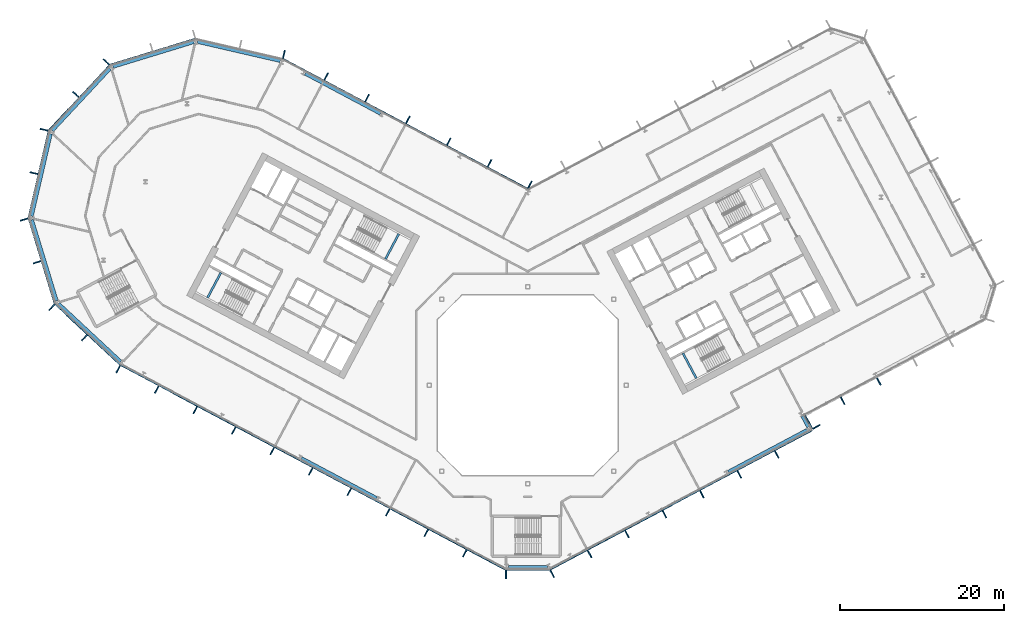
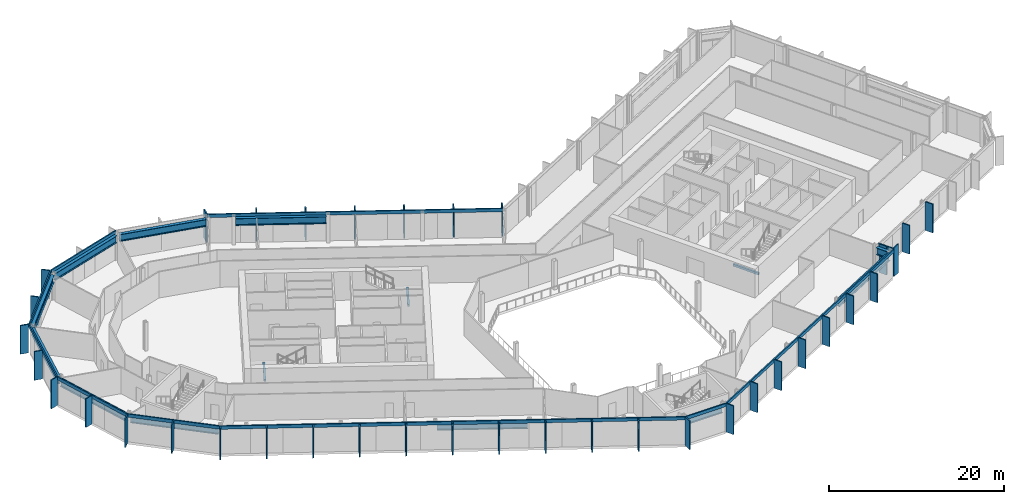
# One storey, part 9 of 28: 47 members, 14 beams, 12 elements without a shape of their own.
"""IFC4 building model written with IfcOpenShell, lengths in metres."""

from ifc_helpers import new_model, si_unit, direction, frame, origin, origin_2d, place, context, subcontext, project, spatial, rectangle, i_section, extrude, material, layer, layer_set, material_profile, profile_set, type_object, element, aggregate, save


model = new_model("IFC4")

# Units and contexts
model_context = context("Model", 3, precision=1e-05, world=origin(), true_north=direction((0.0, 1.0)))
body_context = subcontext(model_context, "Body", "Model", "MODEL_VIEW")
ifc_project = project(units=[si_unit("LENGTHUNIT", "METRE"), si_unit("AREAUNIT", "SQUARE_METRE"), si_unit("VOLUMEUNIT", "CUBIC_METRE"), si_unit("PLANEANGLEUNIT", "RADIAN"), si_unit("MASSUNIT", "GRAM", prefix="KILO")], contexts=[model_context])

# Site, building, storey
site_placement = place(None, origin())
site = spatial("IfcSite", under=ifc_project, at=site_placement, CompositionType="ELEMENT")
building_placement = place(site_placement, origin())
building = spatial("IfcBuilding", under=site, at=building_placement, Name="Cormorant Relay Tower", CompositionType="ELEMENT")
storey_placement = place(building_placement, frame((0.0, 0.0, 162.199951171875)))
storey = spatial("IfcBuildingStorey", under=building, at=storey_placement, Name="L34", CompositionType="ELEMENT", Elevation=162.199951171875)

# Curtain wall, member
ifc_material_1 = material(Name="Aluminium 6063-T6 anodised bronze", Category="aluminium")
ifc_layer = layer(ifc_material_1, 0.199951171875)
ifc_layer_set = layer_set([ifc_layer], Name="CW1 unitised bronze curtain wall with vertical fins")
curtain_wall_type = type_object("IfcCurtainWallType", Name="CW1 unitised bronze curtain wall with vertical fins", PredefinedType="NOTDEFINED", material=ifc_layer_set)
curtain_wall_1_placement = place(storey_placement, origin())
curtain_wall_1 = element("IfcCurtainWall", 1, at=curtain_wall_1_placement, inside=storey, type_object=curtain_wall_type, Name="CW1 curtain wall 1", PredefinedType="NOTDEFINED")
ifc_material_2 = material(Name="Aluminium 6063-T6 anodised bronze", Category="aluminium")
ifc_material_profile_1 = material_profile(ifc_material_2, rectangle(XDim=0.14990234375, YDim=1.0, at=origin_2d()), Name="AL 150x1000")
ifc_profile_set_1 = profile_set([ifc_material_profile_1], Name="Aluminium 6063-T6 anodised bronze")
member_type_1 = type_object("IfcMemberType", Name="CW1 bronze fin mullion 150 x 1000", PredefinedType="MULLION", material=ifc_profile_set_1)
member_1_placement = place(storey_placement, frame((-2.648681640625, -23.07568359375, 0.0), z_axis=(0.0, 0.0, 1.0), x_axis=(1.0, 0.0, 0.0)))
member_1 = element("IfcMember", 2, at=member_1_placement, type_object=member_type_1, Name="CW1 fin 1.1", PredefinedType="MULLION", context=body_context, shape_type="SweptSolid", body=[
    extrude(rectangle(XDim=0.14990234375, YDim=1.0, at=origin_2d()), origin(), (0.0, 0.0, 1.0), 4.0),
])

# Curtain wall, members
curtain_wall_2_placement = place(storey_placement, origin())
curtain_wall_2 = element("IfcCurtainWall", 3, at=curtain_wall_2_placement, inside=storey, type_object=curtain_wall_type, Name="CW1 curtain wall 2", PredefinedType="NOTDEFINED")
member_2_placement = place(storey_placement, frame((2.9775390625, -22.99365234375, 0.0), z_axis=(0.0, 0.0, 1.0), x_axis=(0.882947592859, 0.469471562786, 0.0)))
member_2 = element("IfcMember", 4, at=member_2_placement, type_object=member_type_1, Name="CW1 fin 2.1", PredefinedType="MULLION", context=body_context, shape_type="SweptSolid", body=[
    extrude(rectangle(XDim=0.14990234375, YDim=1.0, at=origin_2d()), origin(), (0.0, 0.0, 1.0), 4.0),
])
member_3_placement = place(storey_placement, frame((7.539306640625, -20.568115234375, 0.0), z_axis=(0.0, 0.0, 1.0), x_axis=(0.882947592859, 0.469471562786, 0.0)))
member_3 = element("IfcMember", 5, at=member_3_placement, type_object=member_type_1, Name="CW1 fin 2.2", PredefinedType="MULLION", context=body_context, shape_type="SweptSolid", body=[
    extrude(rectangle(XDim=0.14990234375, YDim=1.0, at=origin_2d()), origin(), (0.0, 0.0, 1.0), 4.0),
])
member_4_placement = place(storey_placement, frame((12.10107421875, -18.142578125, 0.0), z_axis=(0.0, 0.0, 1.0), x_axis=(0.882947592859, 0.469471562786, 0.0)))
member_4 = element("IfcMember", 6, at=member_4_placement, type_object=member_type_1, Name="CW1 fin 2.3", PredefinedType="MULLION", context=body_context, shape_type="SweptSolid", body=[
    extrude(rectangle(XDim=0.14990234375, YDim=1.0, at=origin_2d()), origin(), (0.0, 0.0, 1.0), 4.0),
])
member_5_placement = place(storey_placement, frame((16.662841796875, -15.717041015625, 0.0), z_axis=(0.0, 0.0, 1.0), x_axis=(0.882947592859, 0.469471562786, 0.0)))
member_5 = element("IfcMember", 7, at=member_5_placement, type_object=member_type_1, Name="CW1 fin 2.4", PredefinedType="MULLION", context=body_context, shape_type="SweptSolid", body=[
    extrude(rectangle(XDim=0.14990234375, YDim=1.0, at=origin_2d()), origin(), (0.0, 0.0, 1.0), 4.0),
])
member_6_placement = place(storey_placement, frame((21.224609375, -13.29150390625, 0.0), z_axis=(0.0, 0.0, 1.0), x_axis=(0.882947592859, 0.469471562786, 0.0)))
member_6 = element("IfcMember", 8, at=member_6_placement, type_object=member_type_1, Name="CW1 fin 2.5", PredefinedType="MULLION", context=body_context, shape_type="SweptSolid", body=[
    extrude(rectangle(XDim=0.14990234375, YDim=1.0, at=origin_2d()), origin(), (0.0, 0.0, 1.0), 4.0),
])
member_7_placement = place(storey_placement, frame((25.78662109375, -10.865966796875, 0.0), z_axis=(0.0, 0.0, 1.0), x_axis=(0.882947592859, 0.469471562786, 0.0)))
member_7 = element("IfcMember", 9, at=member_7_placement, type_object=member_type_1, Name="CW1 fin 2.6", PredefinedType="MULLION", context=body_context, shape_type="SweptSolid", body=[
    extrude(rectangle(XDim=0.14990234375, YDim=1.0, at=origin_2d()), origin(), (0.0, 0.0, 1.0), 4.0),
])
member_8_placement = place(storey_placement, frame((30.348388671875, -8.440185546875, 0.0), z_axis=(0.0, 0.0, 1.0), x_axis=(0.882947592859, 0.469471562786, 0.0)))
member_8 = element("IfcMember", 10, at=member_8_placement, type_object=member_type_1, Name="CW1 fin 2.7", PredefinedType="MULLION", context=body_context, shape_type="SweptSolid", body=[
    extrude(rectangle(XDim=0.14990234375, YDim=1.0, at=origin_2d()), origin(), (0.0, 0.0, 1.0), 4.0),
])

# Curtain wall, member
curtain_wall_3_placement = place(storey_placement, origin())
curtain_wall_3 = element("IfcCurtainWall", 11, at=curtain_wall_3_placement, inside=storey, type_object=curtain_wall_type, Name="CW1 curtain wall 3", PredefinedType="NOTDEFINED")
member_9_placement = place(storey_placement, frame((35.199462890625, -5.068115234375, 0.0), z_axis=(0.0, 0.0, 1.0), x_axis=(-0.469471562786, 0.882947592859, 0.0)))
member_9 = element("IfcMember", 12, at=member_9_placement, type_object=member_type_1, Name="CW1 fin 3.1", PredefinedType="MULLION", context=body_context, shape_type="SweptSolid", body=[
    extrude(rectangle(XDim=0.14990234375, YDim=1.0, at=origin_2d()), origin(), (0.0, 0.0, 1.0), 4.0),
])

# Curtain wall, members
curtain_wall_4_placement = place(storey_placement, origin())
curtain_wall_4 = element("IfcCurtainWall", 13, at=curtain_wall_4_placement, inside=storey, type_object=curtain_wall_type, Name="CW1 curtain wall 4", PredefinedType="NOTDEFINED")
member_10_placement = place(storey_placement, frame((34.037353515625, -4.213623046875, 0.0), z_axis=(0.0, 0.0, 1.0), x_axis=(0.882947592859, 0.469471562786, 0.0)))
member_10 = element("IfcMember", 14, at=member_10_placement, type_object=member_type_1, Name="CW1 fin 4.1", PredefinedType="MULLION", context=body_context, shape_type="SweptSolid", body=[
    extrude(rectangle(XDim=0.14990234375, YDim=1.0, at=origin_2d()), origin(), (0.0, 0.0, 1.0), 4.0),
])
member_11_placement = place(storey_placement, frame((38.385986328125, -1.901611328125, 0.0), z_axis=(0.0, 0.0, 1.0), x_axis=(0.882947592859, 0.469471562786, 0.0)))
member_11 = element("IfcMember", 15, at=member_11_placement, type_object=member_type_1, Name="CW1 fin 4.2", PredefinedType="MULLION", context=body_context, shape_type="SweptSolid", body=[
    extrude(rectangle(XDim=0.14990234375, YDim=1.0, at=origin_2d()), origin(), (0.0, 0.0, 1.0), 4.0),
])
member_12_placement = place(storey_placement, frame((42.800537109375, 0.44580078125, 0.0), z_axis=(0.0, 0.0, 1.0), x_axis=(0.882947592859, 0.469471562786, 0.0)))
member_12 = element("IfcMember", 16, at=member_12_placement, type_object=member_type_1, Name="CW1 fin 4.3", PredefinedType="MULLION", context=body_context, shape_type="SweptSolid", body=[
    extrude(rectangle(XDim=0.14990234375, YDim=1.0, at=origin_2d()), origin(), (0.0, 0.0, 1.0), 4.0),
])
aggregate(curtain_wall_4, [member_10, member_11, member_12])

curtain_wall_5_placement = place(storey_placement, origin())
curtain_wall_5 = element("IfcCurtainWall", 17, at=curtain_wall_5_placement, inside=storey, type_object=curtain_wall_type, Name="CW1 curtain wall 9", PredefinedType="NOTDEFINED")
member_13_placement = place(storey_placement, frame((0.262451171875, 24.437255859375, 0.0), z_axis=(0.0, 0.0, 1.0), x_axis=(-0.882947592859, 0.469471562786, 0.0)))
member_13 = element("IfcMember", 18, at=member_13_placement, type_object=member_type_1, Name="CW1 fin 9.1", PredefinedType="MULLION", context=body_context, shape_type="SweptSolid", body=[
    extrude(rectangle(XDim=0.14990234375, YDim=1.0, at=origin_2d()), origin(), (0.0, 0.0, 1.0), 4.0),
])
member_14_placement = place(storey_placement, frame((-4.650390625, 27.04931640625, 0.0), z_axis=(0.0, 0.0, 1.0), x_axis=(-0.882947592859, 0.469471562786, 0.0)))
member_14 = element("IfcMember", 19, at=member_14_placement, type_object=member_type_1, Name="CW1 fin 9.2", PredefinedType="MULLION", context=body_context, shape_type="SweptSolid", body=[
    extrude(rectangle(XDim=0.14990234375, YDim=1.0, at=origin_2d()), origin(), (0.0, 0.0, 1.0), 4.0),
])
member_15_placement = place(storey_placement, frame((-9.62939453125, 29.69677734375, 0.0), z_axis=(0.0, 0.0, 1.0), x_axis=(-0.882947592859, 0.469471562786, 0.0)))
member_15 = element("IfcMember", 20, at=member_15_placement, type_object=member_type_1, Name="CW1 fin 9.3", PredefinedType="MULLION", context=body_context, shape_type="SweptSolid", body=[
    extrude(rectangle(XDim=0.14990234375, YDim=1.0, at=origin_2d()), origin(), (0.0, 0.0, 1.0), 4.0),
])
member_16_placement = place(storey_placement, frame((-14.608154296875, 32.343994140625, 0.0), z_axis=(0.0, 0.0, 1.0), x_axis=(-0.882947592859, 0.469471562786, 0.0)))
member_16 = element("IfcMember", 21, at=member_16_placement, type_object=member_type_1, Name="CW1 fin 9.4", PredefinedType="MULLION", context=body_context, shape_type="SweptSolid", body=[
    extrude(rectangle(XDim=0.14990234375, YDim=1.0, at=origin_2d()), origin(), (0.0, 0.0, 1.0), 4.0),
])
member_17_placement = place(storey_placement, frame((-19.587158203125, 34.991455078125, 0.0), z_axis=(0.0, 0.0, 1.0), x_axis=(-0.882947592859, 0.469471562786, 0.0)))
member_17 = element("IfcMember", 22, at=member_17_placement, type_object=member_type_1, Name="CW1 fin 9.5", PredefinedType="MULLION", context=body_context, shape_type="SweptSolid", body=[
    extrude(rectangle(XDim=0.14990234375, YDim=1.0, at=origin_2d()), origin(), (0.0, 0.0, 1.0), 4.0),
])
member_18_placement = place(storey_placement, frame((-24.566162109375, 37.638916015625, 0.0), z_axis=(0.0, 0.0, 1.0), x_axis=(-0.882947592859, 0.469471562786, 0.0)))
member_18 = element("IfcMember", 23, at=member_18_placement, type_object=member_type_1, Name="CW1 fin 9.6", PredefinedType="MULLION", context=body_context, shape_type="SweptSolid", body=[
    extrude(rectangle(XDim=0.14990234375, YDim=1.0, at=origin_2d()), origin(), (0.0, 0.0, 1.0), 4.0),
])

# Curtain wall, member
curtain_wall_6_placement = place(storey_placement, origin())
curtain_wall_6 = element("IfcCurtainWall", 24, at=curtain_wall_6_placement, inside=storey, type_object=curtain_wall_type, Name="CW1 curtain wall 10", PredefinedType="NOTDEFINED")
member_19_placement = place(storey_placement, frame((-29.71630859375, 40.35009765625, 0.0), z_axis=(0.0, 0.0, 1.0), x_axis=(-0.974370064785, 0.224951054344, 0.0)))
member_19 = element("IfcMember", 25, at=member_19_placement, type_object=member_type_1, Name="CW1 fin 10.1", PredefinedType="MULLION", context=body_context, shape_type="SweptSolid", body=[
    extrude(rectangle(XDim=0.14990234375, YDim=1.0, at=origin_2d()), origin(), (0.0, 0.0, 1.0), 4.0),
])
aggregate(curtain_wall_6, [member_19])

# Curtain wall, members
curtain_wall_7_placement = place(storey_placement, origin())
curtain_wall_7 = element("IfcCurtainWall", 26, at=curtain_wall_7_placement, inside=storey, type_object=curtain_wall_type, Name="CW1 curtain wall 12", PredefinedType="NOTDEFINED")
member_20_placement = place(storey_placement, frame((-51.372802734375, 39.41259765625, 0.0), z_axis=(0.0, 0.0, 1.0), x_axis=(-0.681998360062, -0.731353701619, 0.0)))
member_20 = element("IfcMember", 27, at=member_20_placement, type_object=member_type_1, Name="CW1 fin 12.1", PredefinedType="MULLION", context=body_context, shape_type="SweptSolid", body=[
    extrude(rectangle(XDim=0.14990234375, YDim=1.0, at=origin_2d()), origin(), (0.0, 0.0, 1.0), 4.0),
])
member_21_placement = place(storey_placement, frame((-55.07958984375, 35.4375, 0.0), z_axis=(0.0, 0.0, 1.0), x_axis=(-0.681998360062, -0.731353701619, 0.0)))
member_21 = element("IfcMember", 28, at=member_21_placement, type_object=member_type_1, Name="CW1 fin 12.2", PredefinedType="MULLION", context=body_context, shape_type="SweptSolid", body=[
    extrude(rectangle(XDim=0.14990234375, YDim=1.0, at=origin_2d()), origin(), (0.0, 0.0, 1.0), 4.0),
])

curtain_wall_8_placement = place(storey_placement, origin())
curtain_wall_8 = element("IfcCurtainWall", 29, at=curtain_wall_8_placement, inside=storey, type_object=curtain_wall_type, Name="CW1 curtain wall 13", PredefinedType="NOTDEFINED")
member_22_placement = place(storey_placement, frame((-58.95654296875, 31.142578125, 0.0), z_axis=(0.0, 0.0, 1.0), x_axis=(-0.224951054344, -0.974370064785, 0.0)))
member_22 = element("IfcMember", 30, at=member_22_placement, type_object=member_type_1, Name="CW1 fin 13.1", PredefinedType="MULLION", context=body_context, shape_type="SweptSolid", body=[
    extrude(rectangle(XDim=0.14990234375, YDim=1.0, at=origin_2d()), origin(), (0.0, 0.0, 1.0), 4.0),
])
member_23_placement = place(storey_placement, frame((-60.17919921875, 25.8466796875, 0.0), z_axis=(0.0, 0.0, 1.0), x_axis=(-0.224951054344, -0.974370064785, 0.0)))
member_23 = element("IfcMember", 31, at=member_23_placement, type_object=member_type_1, Name="CW1 fin 13.2", PredefinedType="MULLION", context=body_context, shape_type="SweptSolid", body=[
    extrude(rectangle(XDim=0.14990234375, YDim=1.0, at=origin_2d()), origin(), (0.0, 0.0, 1.0), 4.0),
])

curtain_wall_9_placement = place(storey_placement, origin())
curtain_wall_9 = element("IfcCurtainWall", 32, at=curtain_wall_9_placement, inside=storey, type_object=curtain_wall_type, Name="CW1 curtain wall 14", PredefinedType="NOTDEFINED")
member_24_placement = place(storey_placement, frame((-61.389404296875, 20.188720703125, 0.0), z_axis=(0.0, 0.0, 1.0), x_axis=(0.292371704723, -0.956304755963, 0.0)))
member_24 = element("IfcMember", 33, at=member_24_placement, type_object=member_type_1, Name="CW1 fin 14.1", PredefinedType="MULLION", context=body_context, shape_type="SweptSolid", body=[
    extrude(rectangle(XDim=0.14990234375, YDim=1.0, at=origin_2d()), origin(), (0.0, 0.0, 1.0), 4.0),
])
member_25_placement = place(storey_placement, frame((-59.80029296875, 14.990966796875, 0.0), z_axis=(0.0, 0.0, 1.0), x_axis=(0.292371704723, -0.956304755963, 0.0)))
member_25 = element("IfcMember", 34, at=member_25_placement, type_object=member_type_1, Name="CW1 fin 14.2", PredefinedType="MULLION", context=body_context, shape_type="SweptSolid", body=[
    extrude(rectangle(XDim=0.14990234375, YDim=1.0, at=origin_2d()), origin(), (0.0, 0.0, 1.0), 4.0),
])

curtain_wall_10_placement = place(storey_placement, origin())
curtain_wall_10 = element("IfcCurtainWall", 35, at=curtain_wall_10_placement, inside=storey, type_object=curtain_wall_type, Name="CW1 curtain wall 15", PredefinedType="NOTDEFINED")
member_26_placement = place(storey_placement, frame((-58.01904296875, 9.486083984375, 0.0), z_axis=(0.0, 0.0, 1.0), x_axis=(0.731353701619, -0.681998360062, 0.0)))
member_26 = element("IfcMember", 36, at=member_26_placement, type_object=member_type_1, Name="CW1 fin 15.1", PredefinedType="MULLION", context=body_context, shape_type="SweptSolid", body=[
    extrude(rectangle(XDim=0.14990234375, YDim=1.0, at=origin_2d()), origin(), (0.0, 0.0, 1.0), 4.0),
])
member_27_placement = place(storey_placement, frame((-54.0439453125, 5.779296875, 0.0), z_axis=(0.0, 0.0, 1.0), x_axis=(0.731353701619, -0.681998360062, 0.0)))
member_27 = element("IfcMember", 37, at=member_27_placement, type_object=member_type_1, Name="CW1 fin 15.2", PredefinedType="MULLION", context=body_context, shape_type="SweptSolid", body=[
    extrude(rectangle(XDim=0.14990234375, YDim=1.0, at=origin_2d()), origin(), (0.0, 0.0, 1.0), 4.0),
])

curtain_wall_11_placement = place(storey_placement, origin())
curtain_wall_11 = element("IfcCurtainWall", 38, at=curtain_wall_11_placement, inside=storey, type_object=curtain_wall_type, Name="CW1 curtain wall 16", PredefinedType="NOTDEFINED")
member_28_placement = place(storey_placement, frame((-49.920166015625, 1.96630859375, 0.0), z_axis=(0.0, 0.0, 1.0), x_axis=(0.882947592859, -0.469471562786, 0.0)))
member_28 = element("IfcMember", 39, at=member_28_placement, type_object=member_type_1, Name="CW1 fin 16.1", PredefinedType="MULLION", context=body_context, shape_type="SweptSolid", body=[
    extrude(rectangle(XDim=0.14990234375, YDim=1.0, at=origin_2d()), origin(), (0.0, 0.0, 1.0), 4.0),
])
member_29_placement = place(storey_placement, frame((-45.225830078125, -0.52978515625, 0.0), z_axis=(0.0, 0.0, 1.0), x_axis=(0.882947592859, -0.469471562786, 0.0)))
member_29 = element("IfcMember", 40, at=member_29_placement, type_object=member_type_1, Name="CW1 fin 16.2", PredefinedType="MULLION", context=body_context, shape_type="SweptSolid", body=[
    extrude(rectangle(XDim=0.14990234375, YDim=1.0, at=origin_2d()), origin(), (0.0, 0.0, 1.0), 4.0),
])
member_30_placement = place(storey_placement, frame((-40.531494140625, -3.025634765625, 0.0), z_axis=(0.0, 0.0, 1.0), x_axis=(0.882947592859, -0.469471562786, 0.0)))
member_30 = element("IfcMember", 41, at=member_30_placement, type_object=member_type_1, Name="CW1 fin 16.3", PredefinedType="MULLION", context=body_context, shape_type="SweptSolid", body=[
    extrude(rectangle(XDim=0.14990234375, YDim=1.0, at=origin_2d()), origin(), (0.0, 0.0, 1.0), 4.0),
])
member_31_placement = place(storey_placement, frame((-35.83740234375, -5.521728515625, 0.0), z_axis=(0.0, 0.0, 1.0), x_axis=(0.882947592859, -0.469471562786, 0.0)))
member_31 = element("IfcMember", 42, at=member_31_placement, type_object=member_type_1, Name="CW1 fin 16.4", PredefinedType="MULLION", context=body_context, shape_type="SweptSolid", body=[
    extrude(rectangle(XDim=0.14990234375, YDim=1.0, at=origin_2d()), origin(), (0.0, 0.0, 1.0), 4.0),
])
member_32_placement = place(storey_placement, frame((-31.14306640625, -8.017578125, 0.0), z_axis=(0.0, 0.0, 1.0), x_axis=(0.882947592859, -0.469471562786, 0.0)))
member_32 = element("IfcMember", 43, at=member_32_placement, type_object=member_type_1, Name="CW1 fin 16.5", PredefinedType="MULLION", context=body_context, shape_type="SweptSolid", body=[
    extrude(rectangle(XDim=0.14990234375, YDim=1.0, at=origin_2d()), origin(), (0.0, 0.0, 1.0), 4.0),
])
member_33_placement = place(storey_placement, frame((-26.44873046875, -10.513671875, 0.0), z_axis=(0.0, 0.0, 1.0), x_axis=(0.882947592859, -0.469471562786, 0.0)))
member_33 = element("IfcMember", 44, at=member_33_placement, type_object=member_type_1, Name="CW1 fin 16.6", PredefinedType="MULLION", context=body_context, shape_type="SweptSolid", body=[
    extrude(rectangle(XDim=0.14990234375, YDim=1.0, at=origin_2d()), origin(), (0.0, 0.0, 1.0), 4.0),
])
member_34_placement = place(storey_placement, frame((-21.754638671875, -13.009765625, 0.0), z_axis=(0.0, 0.0, 1.0), x_axis=(0.882947592859, -0.469471562786, 0.0)))
member_34 = element("IfcMember", 45, at=member_34_placement, type_object=member_type_1, Name="CW1 fin 16.7", PredefinedType="MULLION", context=body_context, shape_type="SweptSolid", body=[
    extrude(rectangle(XDim=0.14990234375, YDim=1.0, at=origin_2d()), origin(), (0.0, 0.0, 1.0), 4.0),
])
member_35_placement = place(storey_placement, frame((-17.060302734375, -15.505615234375, 0.0), z_axis=(0.0, 0.0, 1.0), x_axis=(0.882947592859, -0.469471562786, 0.0)))
member_35 = element("IfcMember", 46, at=member_35_placement, type_object=member_type_1, Name="CW1 fin 16.8", PredefinedType="MULLION", context=body_context, shape_type="SweptSolid", body=[
    extrude(rectangle(XDim=0.14990234375, YDim=1.0, at=origin_2d()), origin(), (0.0, 0.0, 1.0), 4.0),
])
member_36_placement = place(storey_placement, frame((-12.365966796875, -18.001708984375, 0.0), z_axis=(0.0, 0.0, 1.0), x_axis=(0.882947592859, -0.469471562786, 0.0)))
member_36 = element("IfcMember", 47, at=member_36_placement, type_object=member_type_1, Name="CW1 fin 16.9", PredefinedType="MULLION", context=body_context, shape_type="SweptSolid", body=[
    extrude(rectangle(XDim=0.14990234375, YDim=1.0, at=origin_2d()), origin(), (0.0, 0.0, 1.0), 4.0),
])
member_37_placement = place(storey_placement, frame((-7.671630859375, -20.49755859375, 0.0), z_axis=(0.0, 0.0, 1.0), x_axis=(0.882947592859, -0.469471562786, 0.0)))
member_37 = element("IfcMember", 48, at=member_37_placement, type_object=member_type_1, Name="CW1 fin 16.10", PredefinedType="MULLION", context=body_context, shape_type="SweptSolid", body=[
    extrude(rectangle(XDim=0.14990234375, YDim=1.0, at=origin_2d()), origin(), (0.0, 0.0, 1.0), 4.0),
])

# Member
ifc_material_3 = material(Name="Aluminium 6063-T6 anodised bronze", Category="aluminium")
ifc_material_profile_2 = material_profile(ifc_material_3, rectangle(XDim=0.159912109375, YDim=0.449951171875, at=origin_2d()), Name="AL 160x450")
ifc_profile_set_2 = profile_set([ifc_material_profile_2], Name="Aluminium 6063-T6 anodised bronze")
member_type_2 = type_object("IfcMemberType", Name="CW1 bronze transom 160 x 450", PredefinedType="USERDEFINED", material=ifc_profile_set_2)
member_38_placement = place(storey_placement, frame((-2.648681640625, -22.49560546875, 3.775146484375), z_axis=(1.0, 0.0, 0.0), x_axis=(0.0, 1.0, 0.0)))
member_38 = element("IfcMember", 49, at=member_38_placement, type_object=member_type_2, Name="CW1 transom 1", ObjectType="TRANSOM", PredefinedType="USERDEFINED", context=body_context, shape_type="SweptSolid", body=[
    extrude(rectangle(XDim=0.159912109375, YDim=0.449951171875, at=origin_2d()), origin(), (0.0, 0.0, 1.0), 5.29736328125),
])

aggregate(curtain_wall_1, [member_1, member_38])

member_39_placement = place(storey_placement, frame((2.705078125, -22.4814453125, 3.775146484375), z_axis=(0.882948899141, 0.469469106018, 0.0), x_axis=(-0.469469106018, 0.882948899141, 0.0)))
member_39 = element("IfcMember", 50, at=member_39_placement, type_object=member_type_2, Name="CW1 transom 2", ObjectType="TRANSOM", PredefinedType="USERDEFINED", context=body_context, shape_type="SweptSolid", body=[
    extrude(rectangle(XDim=0.159912109375, YDim=0.449951171875, at=origin_2d()), origin(), (0.0, 0.0, 1.0), 36.165771484375),
])

aggregate(curtain_wall_2, [member_2, member_3, member_4, member_5, member_6, member_7, member_8, member_39])

member_40_placement = place(storey_placement, frame((34.6875, -5.34033203125, 3.775146484375), z_axis=(-0.469580583036, 0.88288961713, 0.0), x_axis=(-0.88288961713, -0.469580583036, 0.0)))
member_40 = element("IfcMember", 51, at=member_40_placement, type_object=member_type_2, Name="CW1 transom 3", ObjectType="TRANSOM", PredefinedType="USERDEFINED", context=body_context, shape_type="SweptSolid", body=[
    extrude(rectangle(XDim=0.159912109375, YDim=0.449951171875, at=origin_2d()), origin(), (0.0, 0.0, 1.0), 2.0),
])

aggregate(curtain_wall_3, [member_9, member_40])

member_41_placement = place(storey_placement, frame((0.056396484375, 23.889892578125, 3.775146484375), z_axis=(-0.882946280328, 0.46947403129, 0.0), x_axis=(-0.46947403129, -0.882946280328, 0.0)))
member_41 = element("IfcMember", 52, at=member_41_placement, type_object=member_type_2, Name="CW1 transom 9", ObjectType="TRANSOM", PredefinedType="USERDEFINED", context=body_context, shape_type="SweptSolid", body=[
    extrude(rectangle(XDim=0.159912109375, YDim=0.449951171875, at=origin_2d()), origin(), (0.0, 0.0, 1.0), 33.834228515625),
])

aggregate(curtain_wall_5, [member_13, member_14, member_15, member_16, member_17, member_18, member_41])

# Curtain wall, member
curtain_wall_12_placement = place(storey_placement, origin())
curtain_wall_12 = element("IfcCurtainWall", 53, at=curtain_wall_12_placement, inside=storey, type_object=curtain_wall_type, Name="CW1 curtain wall 11", PredefinedType="NOTDEFINED")
member_42_placement = place(storey_placement, frame((-40.50048828125, 42.228271484375, 3.775146484375), z_axis=(-0.956304833932, -0.292371449698, 0.0), x_axis=(0.292371449698, -0.956304833932, 0.0)))
member_42 = element("IfcMember", 54, at=member_42_placement, type_object=member_type_2, Name="CW1 transom 11", ObjectType="TRANSOM", PredefinedType="USERDEFINED", context=body_context, shape_type="SweptSolid", body=[
    extrude(rectangle(XDim=0.159912109375, YDim=0.449951171875, at=origin_2d()), origin(), (0.0, 0.0, 1.0), 10.87060546875),
])
aggregate(curtain_wall_12, [member_42])

# Member
member_43_placement = place(storey_placement, frame((-50.94873046875, 39.01708984375, 3.775146484375), z_axis=(-0.681993299437, -0.731358420696, 0.0), x_axis=(0.731358420696, -0.681993299437, 0.0)))
member_43 = element("IfcMember", 55, at=member_43_placement, type_object=member_type_2, Name="CW1 transom 12", ObjectType="TRANSOM", PredefinedType="USERDEFINED", context=body_context, shape_type="SweptSolid", body=[
    extrude(rectangle(XDim=0.159912109375, YDim=0.449951171875, at=origin_2d()), origin(), (0.0, 0.0, 1.0), 10.870361328125),
])

aggregate(curtain_wall_7, [member_20, member_21, member_43])

member_44_placement = place(storey_placement, frame((-58.3916015625, 31.01220703125, 3.775146484375), z_axis=(-0.22495136131, -0.974369993916, 0.0), x_axis=(0.974369993916, -0.22495136131, 0.0)))
member_44 = element("IfcMember", 56, at=member_44_placement, type_object=member_type_2, Name="CW1 transom 13", ObjectType="TRANSOM", PredefinedType="USERDEFINED", context=body_context, shape_type="SweptSolid", body=[
    extrude(rectangle(XDim=0.159912109375, YDim=0.449951171875, at=origin_2d()), origin(), (0.0, 0.0, 1.0), 10.870361328125),
])

aggregate(curtain_wall_8, [member_22, member_23, member_44])

member_45_placement = place(storey_placement, frame((-60.834716796875, 20.358154296875, 3.775146484375), z_axis=(0.292377729282, -0.95630291405, 0.0), x_axis=(0.95630291405, 0.292377729282, 0.0)))
member_45 = element("IfcMember", 57, at=member_45_placement, type_object=member_type_2, Name="CW1 transom 14", ObjectType="TRANSOM", PredefinedType="USERDEFINED", context=body_context, shape_type="SweptSolid", body=[
    extrude(rectangle(XDim=0.159912109375, YDim=0.449951171875, at=origin_2d()), origin(), (0.0, 0.0, 1.0), 10.870361328125),
])

aggregate(curtain_wall_9, [member_24, member_25, member_45])

member_46_placement = place(storey_placement, frame((-57.62353515625, 9.91015625, 3.775146484375), z_axis=(0.731358420696, -0.681993299437, 0.0), x_axis=(0.681993299437, 0.731358420696, 0.0)))
member_46 = element("IfcMember", 58, at=member_46_placement, type_object=member_type_2, Name="CW1 transom 15", ObjectType="TRANSOM", PredefinedType="USERDEFINED", context=body_context, shape_type="SweptSolid", body=[
    extrude(rectangle(XDim=0.159912109375, YDim=0.449951171875, at=origin_2d()), origin(), (0.0, 0.0, 1.0), 10.870361328125),
])

aggregate(curtain_wall_10, [member_26, member_27, member_46])

member_47_placement = place(storey_placement, frame((-49.64794921875, 2.478515625, 3.775146484375), z_axis=(0.882947642542, -0.469471469346, 0.0), x_axis=(0.469471469346, 0.882947642542, 0.0)))
member_47 = element("IfcMember", 59, at=member_47_placement, type_object=member_type_2, Name="CW1 transom 16", ObjectType="TRANSOM", PredefinedType="USERDEFINED", context=body_context, shape_type="SweptSolid", body=[
    extrude(rectangle(XDim=0.159912109375, YDim=0.449951171875, at=origin_2d()), origin(), (0.0, 0.0, 1.0), 53.166015625),
])

aggregate(curtain_wall_11, [member_28, member_29, member_30, member_31, member_32, member_33, member_34, member_35, member_36, member_37, member_47])

# Beams
ifc_material_4 = material(Name="Steel ASTM A992 (Fy 345 MPa)", Category="steel")
ifc_material_profile_3 = material_profile(ifc_material_4, i_section(OverallWidth=0.4013671875, OverallDepth=1.000732421875, WebThickness=0.01904296875, FlangeThickness=0.0361328125, FilletRadius=0.02978515625, at=origin_2d()), Name="W1000x371")
ifc_profile_set_3 = profile_set([ifc_material_profile_3], Name="Steel ASTM A992 (Fy 345 MPa)")
beam_type_1 = type_object("IfcBeamType", Name="Spandrel W1000x371", PredefinedType="SPANDREL", material=ifc_profile_set_3)
beam_1_placement = place(storey_placement, frame((-2.35888671875, -22.1748046875, 3.1396484375), z_axis=(1.0, 0.0, 0.0), x_axis=(0.0, 1.0, 0.0)))
element("IfcBeam", 60, at=beam_1_placement, inside=storey, type_object=beam_type_1, Name="Spandrel beam L34-001", PredefinedType="SPANDREL", context=body_context, shape_type="SweptSolid", body=[
    extrude(i_section(OverallWidth=0.4013671875, OverallDepth=1.000732421875, WebThickness=0.01904296875, FlangeThickness=0.0361328125, FilletRadius=0.02978515625, at=origin_2d()), origin(), (0.0, 0.0, 1.0), 4.748046875),
])
beam_2_placement = place(storey_placement, frame((24.427001953125, -10.568603515625, 3.1396484375), z_axis=(0.88295524081, 0.469457178799, 0.0), x_axis=(-0.469457178799, 0.88295524081, 0.0)))
element("IfcBeam", 61, at=beam_2_placement, inside=storey, type_object=beam_type_1, Name="Spandrel beam L34-002", PredefinedType="SPANDREL", context=body_context, shape_type="SweptSolid", body=[
    extrude(i_section(OverallWidth=0.4013671875, OverallDepth=1.000732421875, WebThickness=0.01904296875, FlangeThickness=0.0361328125, FilletRadius=0.02978515625, at=origin_2d()), origin(), (0.0, 0.0, 1.0), 10.915771484375),
])
beam_3_placement = place(storey_placement, frame((34.191650390625, -5.091064453125, 3.1396484375), z_axis=(-0.469471937736, 0.882947393494, 0.0), x_axis=(-0.882947393494, -0.469471937736, 0.0)))
element("IfcBeam", 62, at=beam_3_placement, inside=storey, type_object=beam_type_1, Name="Spandrel beam L34-003", PredefinedType="SPANDREL", context=body_context, shape_type="SweptSolid", body=[
    extrude(i_section(OverallWidth=0.4013671875, OverallDepth=1.000732421875, WebThickness=0.01904296875, FlangeThickness=0.0361328125, FilletRadius=0.02978515625, at=origin_2d()), origin(), (0.0, 0.0, 1.0), 1.521728515625),
])
beam_4_placement = place(storey_placement, frame((-17.964599609375, 33.108642578125, 3.1396484375), z_axis=(-0.882946180893, 0.469474218299, 0.0), x_axis=(-0.469474218299, -0.882946180893, 0.0)))
element("IfcBeam", 63, at=beam_4_placement, inside=storey, type_object=beam_type_1, Name="Spandrel beam L34-009", PredefinedType="SPANDREL", context=body_context, shape_type="SweptSolid", body=[
    extrude(i_section(OverallWidth=0.4013671875, OverallDepth=1.000732421875, WebThickness=0.01904296875, FlangeThickness=0.0361328125, FilletRadius=0.02978515625, at=origin_2d()), origin(), (0.0, 0.0, 1.0), 10.388671875),
])
beam_5_placement = place(storey_placement, frame((-30.162109375, 39.52880859375, 3.1396484375), z_axis=(-0.974371727644, 0.224943851591, 0.0), x_axis=(-0.224943851591, -0.974371727644, 0.0)))
element("IfcBeam", 64, at=beam_5_placement, inside=storey, type_object=beam_type_1, Name="Spandrel beam L34-010", PredefinedType="SPANDREL", context=body_context, shape_type="SweptSolid", body=[
    extrude(i_section(OverallWidth=0.4013671875, OverallDepth=1.000732421875, WebThickness=0.01904296875, FlangeThickness=0.0361328125, FilletRadius=0.02978515625, at=origin_2d()), origin(), (0.0, 0.0, 1.0), 10.3583984375),
])
beam_6_placement = place(storey_placement, frame((-40.69140625, 41.834716796875, 3.1396484375), z_axis=(-0.95629714744, -0.292396589921, 0.0), x_axis=(0.292396589921, -0.95629714744, 0.0)))
element("IfcBeam", 65, at=beam_6_placement, inside=storey, type_object=beam_type_1, Name="Spandrel beam L34-011", PredefinedType="SPANDREL", context=body_context, shape_type="SweptSolid", body=[
    extrude(i_section(OverallWidth=0.4013671875, OverallDepth=1.000732421875, WebThickness=0.01904296875, FlangeThickness=0.0361328125, FilletRadius=0.02978515625, at=origin_2d()), origin(), (0.0, 0.0, 1.0), 10.31103515625),
])
beam_7_placement = place(storey_placement, frame((-50.917236328125, 38.58056640625, 3.1396484375), z_axis=(-0.682003508788, -0.731348900321, 0.0), x_axis=(0.731348900321, -0.682003508788, 0.0)))
element("IfcBeam", 66, at=beam_7_placement, inside=storey, type_object=beam_type_1, Name="Spandrel beam L34-012", PredefinedType="SPANDREL", context=body_context, shape_type="SweptSolid", body=[
    extrude(i_section(OverallWidth=0.4013671875, OverallDepth=1.000732421875, WebThickness=0.01904296875, FlangeThickness=0.0361328125, FilletRadius=0.02978515625, at=origin_2d()), origin(), (0.0, 0.0, 1.0), 10.310791015625),
])
for number, where, z_axis, x_axis, name in (
    (67, (-58.14599609375, 30.64990234375, 3.1396484375), (-0.224951162328, -0.974370039855, 0.0), (0.974370039855, -0.224951162328, 0.0), "Spandrel beam L34-013"),
    (68, (-60.44091796875, 20.16748046875, 3.1396484375), (0.292366522639, -0.95630634027, 0.0), (0.95630634027, 0.292366522639, 0.0), "Spandrel beam L34-014"),
):
    element("IfcBeam", number, at=place(storey_placement, frame(where, z_axis=z_axis, x_axis=x_axis)), inside=storey, type_object=beam_type_1, Name=name, PredefinedType="SPANDREL", context=body_context, shape_type="SweptSolid", body=[
        extrude(i_section(OverallWidth=0.4013671875, OverallDepth=1.000732421875, WebThickness=0.01904296875, FlangeThickness=0.0361328125, FilletRadius=0.02978515625, at=origin_2d()), origin(), (0.0, 0.0, 1.0), 10.310302734375),
    ])
beam_8_placement = place(storey_placement, frame((-57.1875, 9.94189453125, 3.1396484375), z_axis=(0.731351225545, -0.682001015317, 0.0), x_axis=(0.682001015317, 0.731351225545, 0.0)))
element("IfcBeam", 69, at=beam_8_placement, inside=storey, type_object=beam_type_1, Name="Spandrel beam L34-015", PredefinedType="SPANDREL", context=body_context, shape_type="SweptSolid", body=[
    extrude(i_section(OverallWidth=0.4013671875, OverallDepth=1.000732421875, WebThickness=0.01904296875, FlangeThickness=0.0361328125, FilletRadius=0.02978515625, at=origin_2d()), origin(), (0.0, 0.0, 1.0), 10.33935546875),
])
beam_9_placement = place(storey_placement, frame((-27.595458984375, -8.8837890625, 3.1396484375), z_axis=(0.882941619164, -0.4694827975, 0.0), x_axis=(0.4694827975, 0.882941619164, 0.0)))
element("IfcBeam", 70, at=beam_9_placement, inside=storey, type_object=beam_type_1, Name="Spandrel beam L34-016", PredefinedType="SPANDREL", context=body_context, shape_type="SweptSolid", body=[
    extrude(i_section(OverallWidth=0.4013671875, OverallDepth=1.000732421875, WebThickness=0.01904296875, FlangeThickness=0.0361328125, FilletRadius=0.02978515625, at=origin_2d()), origin(), (0.0, 0.0, 1.0), 10.388916015625),
])
ifc_material_5 = material(Name="Concrete 50 MPa", Category="concrete")
ifc_material_profile_4 = material_profile(ifc_material_5, rectangle(XDim=0.25, YDim=0.300048828125, at=origin_2d()), Name="RC 250x300")
ifc_profile_set_4 = profile_set([ifc_material_profile_4], Name="Concrete 50 MPa")
beam_type_2 = type_object("IfcBeamType", Name="Stair landing ledge beam 250x300", PredefinedType="BEAM", material=ifc_profile_set_4)
for number, where, z_axis, x_axis, name in (
    (71, (-17.338623046875, 15.3916015625, 1.650146484375), (0.469463917486, 0.882951657895, 0.0), (-0.882951657895, 0.469463917486, 0.0), "A1 landing ledge beam"),
    (72, (-37.404052734375, 13.715576171875, 1.650146484375), (-0.469463917486, -0.882951657895, 0.0), (0.882951657895, -0.469463917486, 0.0), "A2 landing ledge beam"),
    (73, (18.924072265625, 3.8896484375, 1.650146484375), (0.469463917486, -0.882951657895, 0.0), (0.882951657895, 0.469463917486, 0.0), "B1 landing ledge beam"),
):
    element("IfcBeam", number, at=place(storey_placement, frame(where, z_axis=z_axis, x_axis=x_axis)), inside=storey, type_object=beam_type_2, Name=name, PredefinedType="BEAM", context=body_context, shape_type="SweptSolid", body=[
        extrude(rectangle(XDim=0.25, YDim=0.300048828125, at=origin_2d()), origin(), (0.0, 0.0, 1.0), 3.449951171875),
    ])

save(model, "model.ifc")
